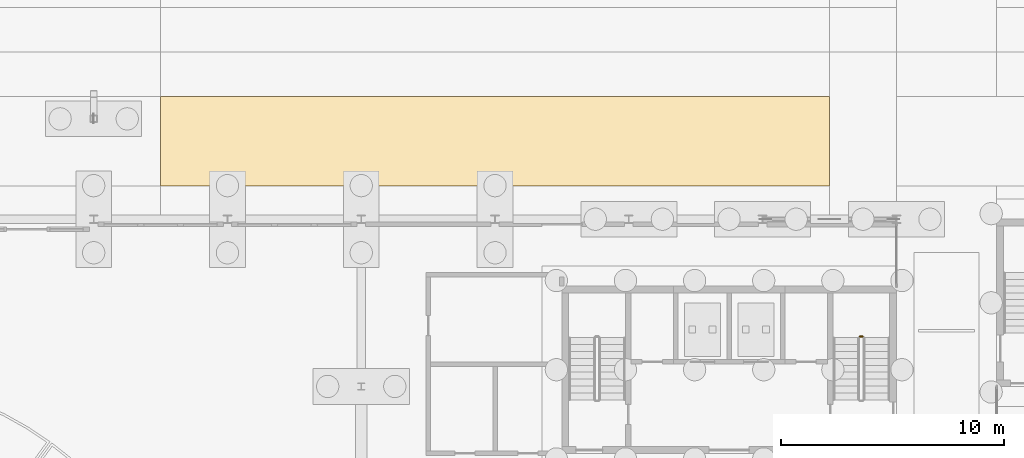
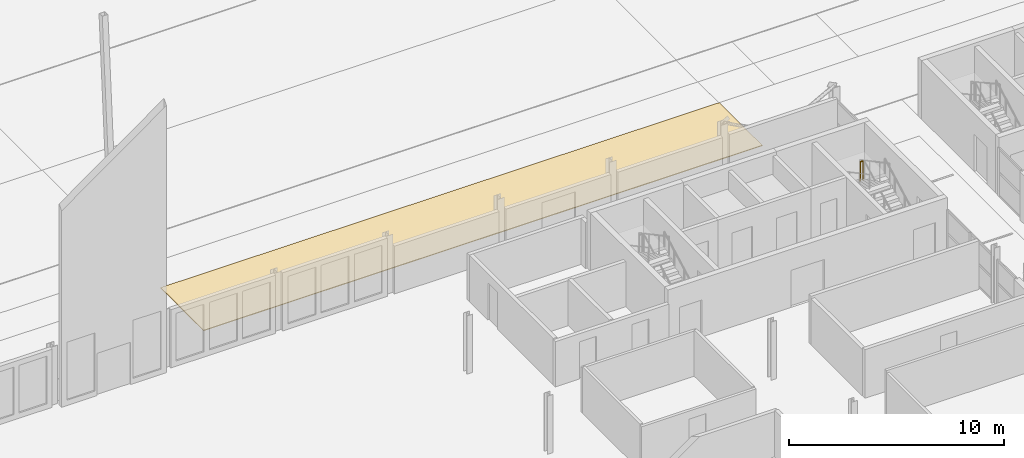
# One storey, part 108 of 130: 1 covering, 1 railing.
"""IFC4 building model written with IfcOpenShell, lengths in metres."""

import ifcopenshell
import ifcopenshell.guid

model = None  # the IFC model being written
_history = None  # IfcOwnerHistory: only IFC2X3 demands one
_inside = {}  # id of a spatial element -> (the spatial element, [elements in it])
_under = {}  # id of a project, library or spatial element -> (it, [spatial elements below it])
_declared = {}  # id of a project -> (the project, [libraries it declares])
_typed = {}  # id of a type object -> (the type object, [elements of that type])
_made_of = {}  # id of a material, layer set ... -> (it, [elements and type objects made of it])


def new_model(schema):
    """Start an empty IFC model of exactly this schema.

    Asked for "IFC4X3", IfcOpenShell would pick the latest addendum, in which some entities
    have other attributes; the version numbers below select the first issue.
    IFC2X3 requires an IfcOwnerHistory on every rooted entity: one is made here for all.
    """
    global model, _history
    if schema == "IFC4X3":
        model = ifcopenshell.file(schema_version=(4, 3, 0, 0))
    else:
        model = ifcopenshell.file(schema=schema)
    _inside.clear()
    _under.clear()
    _declared.clear()
    _typed.clear()
    _made_of.clear()
    _history = None
    if model.schema == "IFC2X3":
        org = make("IfcOrganization", Name="unknown")
        user = make(
            "IfcPersonAndOrganization",
            ThePerson=make("IfcPerson", FamilyName="unknown"),
            TheOrganization=org,
        )
        app = make(
            "IfcApplication",
            ApplicationDeveloper=org,
            Version="unknown",
            ApplicationFullName="unknown",
            ApplicationIdentifier="unknown",
        )
        _history = make(
            "IfcOwnerHistory",
            OwningUser=user,
            OwningApplication=app,
            ChangeAction="ADDED",
            CreationDate=0,
        )
    return model


def make(cls, **values):
    """One entity of the class cls with the attributes given. An attribute that is None is left unset."""
    return model.create_entity(
        cls, **{name: value for name, value in values.items() if value is not None}
    )


def rooted(cls, **values):
    """An entity with a GlobalId (a new one), such as an element, a storey or a relation."""
    return make(cls, GlobalId=ifcopenshell.guid.new(), OwnerHistory=_history, **values)


def si_unit(unit_type, name, prefix=None):
    """IfcSIUnit, for example si_unit("LENGTHUNIT", "METRE", prefix="MILLI")."""
    return make("IfcSIUnit", UnitType=unit_type, Prefix=prefix, Name=name)


def assignment(units):
    """IfcUnitAssignment: the units of a project."""
    return None if units is None else make("IfcUnitAssignment", Units=units)


def point(xyz):
    """IfcCartesianPoint."""
    return None if xyz is None else make("IfcCartesianPoint", Coordinates=xyz)


def direction(xyz):
    """IfcDirection."""
    return None if xyz is None else make("IfcDirection", DirectionRatios=xyz)


def frame(location, z_axis=None, x_axis=None):
    """IfcAxis2Placement3D, a coordinate frame: its origin and axes. An axis left out is left unset."""
    return make(
        "IfcAxis2Placement3D",
        Location=point(location),
        Axis=direction(z_axis),
        RefDirection=direction(x_axis),
    )


def frame_2d(location, x_axis=None):
    """IfcAxis2Placement2D, a coordinate frame in the plane: its origin and x axis."""
    return make(
        "IfcAxis2Placement2D", Location=point(location), RefDirection=direction(x_axis)
    )


def origin():
    """The frame at (0, 0, 0) with its axes left unset."""
    return frame((0.0, 0.0, 0.0))


def origin_2d():
    """The frame at (0, 0) in the plane with its x axis left unset."""
    return frame_2d((0.0, 0.0))


def place(relative_to, where):
    """IfcLocalPlacement: puts the frame where relative to a parent placement (None: the world)."""
    return make(
        "IfcLocalPlacement", PlacementRelTo=relative_to, RelativePlacement=where
    )


def context(
    kind, dimensions, precision=None, world=None, true_north=None, identifier=None
):
    """IfcGeometricRepresentationContext, for example the 3D "Model" context."""
    return make(
        "IfcGeometricRepresentationContext",
        ContextIdentifier=identifier,
        ContextType=kind,
        CoordinateSpaceDimension=dimensions,
        Precision=precision,
        WorldCoordinateSystem=world,
        TrueNorth=true_north,
    )


def subcontext(parent, identifier, kind, view, scale=None):
    """IfcGeometricRepresentationSubContext, for example "Body" below "Model"."""
    return make(
        "IfcGeometricRepresentationSubContext",
        ContextIdentifier=identifier,
        ContextType=kind,
        ParentContext=parent,
        TargetScale=scale,
        TargetView=view,
    )


def project(units=None, contexts=None):
    """IfcProject with its units and contexts."""
    return rooted(
        "IfcProject",
        Name="project",
        RepresentationContexts=contexts,
        UnitsInContext=assignment(units),
    )


def spatial(cls, under=None, at=None, **own):
    """A site, building, storey or space (cls), placed at a placement, below another one or the project."""
    s = rooted(cls, ObjectPlacement=at, **own)
    if under is not None:
        _under.setdefault(under.id(), (under, []))[1].append(s)
    return s


def polyline(points):
    """IfcPolyline through the points."""
    return make("IfcPolyline", Points=[point(p) for p in points])


def profile(cls, at=None, kind="AREA", **sizes):
    """A parametric profile (cls). Its sizes go by their IFC names, for example OverallWidth=200.0."""
    return make(cls, ProfileType=kind, Position=at, **sizes)


def circle(**sizes):
    """IfcCircleProfileDef."""
    return profile("IfcCircleProfileDef", **sizes)


def outline(outer, holes=None, kind="AREA"):
    """IfcArbitraryClosedProfileDef: a profile drawn as a closed curve; with holes, ...WithVoids."""
    if holes is None:
        return make("IfcArbitraryClosedProfileDef", ProfileType=kind, OuterCurve=outer)
    return make(
        "IfcArbitraryProfileDefWithVoids",
        ProfileType=kind,
        OuterCurve=outer,
        InnerCurves=holes,
    )


def extrude(swept, where, along, depth):
    """IfcExtrudedAreaSolid: the profile swept, set in the frame where, extruded along a direction by depth."""
    return make(
        "IfcExtrudedAreaSolid",
        SweptArea=swept,
        Position=where,
        ExtrudedDirection=direction(along),
        Depth=depth,
    )


def shape(context_of_items, identifier, shape_type, items):
    """IfcShapeRepresentation: the items that make up one representation, for example the "Body"."""
    return make(
        "IfcShapeRepresentation",
        ContextOfItems=context_of_items,
        RepresentationIdentifier=identifier,
        RepresentationType=shape_type,
        Items=items,
    )


def material(Name=None, Category=None):
    """IfcMaterial."""
    return make("IfcMaterial", Name=Name, Category=Category)


def layer(
    of_material, thickness, ventilated=None, Name=None, Category=None, Priority=None
):
    """IfcMaterialLayer: one layer of a wall or slab, of a material (None: an air gap)."""
    return make(
        "IfcMaterialLayer",
        Material=of_material,
        LayerThickness=thickness,
        IsVentilated=ventilated,
        Name=Name,
        Category=Category,
        Priority=Priority,
    )


def layer_set(layers, Name=None):
    """IfcMaterialLayerSet."""
    return make("IfcMaterialLayerSet", MaterialLayers=layers, LayerSetName=Name)


def made_of(thing, what):
    """Note that an element or type object is made of a material, layer set ...; save() writes the relation."""
    if what is not None:
        _made_of.setdefault(what.id(), (what, []))[1].append(thing)
    return thing


def type_object(cls, material=None, **own):
    """A type object (cls), such as IfcWallType, which elements share."""
    return made_of(rooted(cls, **own), material)


def element(
    cls,
    number,
    at=None,
    inside=None,
    cuts=None,
    type_object=None,
    material=None,
    context=None,
    identifier="Body",
    shape_type=None,
    held_by="IfcProductDefinitionShape",
    body=None,
    shapes=None,
    **own,
):
    """One element of the class cls, such as IfcWall. Its Tag is "e" and its number.

    at: its placement. inside: the storey or other place that contains it. cuts: it is an
    opening in that element (IfcRelVoidsElement). A single representation is given by context,
    identifier, shape_type and body (its items); several are given by shapes. held_by: the class
    of the entity that holds the representations. save() writes the other relations.
    """
    e = rooted(cls, Tag="e%d" % number, ObjectPlacement=at, **own)
    if body is not None:
        shapes = [shape(context, identifier, shape_type, body)]
    if shapes is not None:
        e.Representation = make(held_by, Representations=shapes)
    if inside is not None:
        _inside.setdefault(inside.id(), (inside, []))[1].append(e)
    if cuts is not None:
        rooted(
            "IfcRelVoidsElement", RelatingBuildingElement=cuts, RelatedOpeningElement=e
        )
    if type_object is not None:
        _typed.setdefault(type_object.id(), (type_object, []))[1].append(e)
    return made_of(e, material)


def aggregate(whole, parts):
    """IfcRelAggregates: a whole, such as a stair, and the parts it consists of."""
    return rooted("IfcRelAggregates", RelatingObject=whole, RelatedObjects=parts)


def save(model, path):
    """Write the relations noted so far, then the file.

    IfcRelAggregates (storeys below a building ...), IfcRelContainedInSpatialStructure (elements
    in a storey), IfcRelDefinesByType, IfcRelAssociatesMaterial and IfcRelDeclares: one each for
    every whole, place, type object, material and project.
    """
    for whole, parts in _under.values():
        aggregate(whole, parts)
    for where, things in _inside.values():
        rooted(
            "IfcRelContainedInSpatialStructure",
            RelatedElements=things,
            RelatingStructure=where,
        )
    for kind, things in _typed.values():
        rooted("IfcRelDefinesByType", RelatedObjects=things, RelatingType=kind)
    for what, things in _made_of.values():
        rooted("IfcRelAssociatesMaterial", RelatedObjects=things, RelatingMaterial=what)
    for by, libraries in _declared.values():
        rooted("IfcRelDeclares", RelatingContext=by, RelatedDefinitions=libraries)
    model.write(path)


model = new_model("IFC4")

# Units and contexts
model_context = context("Model", 3, precision=1e-05, world=origin(), true_north=direction((0.0, 1.0)))
body_context = subcontext(model_context, "Body", "Model", "MODEL_VIEW")
ifc_project = project(units=[si_unit("LENGTHUNIT", "METRE"), si_unit("AREAUNIT", "SQUARE_METRE"), si_unit("VOLUMEUNIT", "CUBIC_METRE"), si_unit("PLANEANGLEUNIT", "RADIAN"), si_unit("MASSUNIT", "GRAM", prefix="KILO")], contexts=[model_context])

# Site, building, storey
site_placement = place(None, origin())
site = spatial("IfcSite", under=ifc_project, at=site_placement, CompositionType="ELEMENT")
building_placement = place(site_placement, origin())
building = spatial("IfcBuilding", under=site, at=building_placement, Name="Parallax Yard Mobility Hub", CompositionType="ELEMENT")
storey_placement = place(building_placement, origin())
storey = spatial("IfcBuildingStorey", under=building, at=storey_placement, Name="L00", CompositionType="ELEMENT", Elevation=0.0)

# Covering
ifc_material_1 = material(Name="Concrete fc' 30 MPa", Category="concrete")
ifc_layer = layer(ifc_material_1, 0.0400390625)
ifc_layer_set = layer_set([ifc_layer], Name="Footway paving, Concrete fc' 30 MPa pavers 40")
covering_type = type_object("IfcCoveringType", Name="Footway paving, Concrete fc' 30 MPa pavers 40", PredefinedType="USERDEFINED", material=ifc_layer_set)
covering_placement = place(storey_placement, origin())
element("IfcCovering", 1, at=covering_placement, inside=storey, type_object=covering_type, Name="Yard footway south surfacing 3", ObjectType="PAVING", PredefinedType="USERDEFINED", context=body_context, shape_type="SweptSolid", body=[
    extrude(outline(polyline([(90.0, 58.0), (90.0, 54.0), (60.0, 54.0), (60.0, 58.0), (90.0, 58.0)])), origin(), (0.0, 0.0, 1.0), 0.0400390625),
])

# Railing
ifc_material_2 = material(Name="Steel ASTM A36", Category="steel")
railing_type = type_object("IfcRailingType", Name="Stair guard 1100", PredefinedType="GUARDRAIL", material=ifc_material_2)
railing_placement = place(storey_placement, frame((91.5, 47.239990234375, 1.64990234375)))
element("IfcRailing", 2, at=railing_placement, inside=storey, type_object=railing_type, Name="L00 ST18 stair guard 2", PredefinedType="GUARDRAIL", context=body_context, shape_type="SweptSolid", body=[
    extrude(circle(Radius=0.02392578125, at=origin_2d()), frame((0.0, 0.0, 1.076171875), z_axis=(-1.0, 0.0, 0.0), x_axis=(0.0, -1.0, 0.0)), (0.0, 0.0, 1.0), 0.14990234375),
    extrude(circle(Radius=0.02099609375, at=origin_2d()), origin(), (0.0, 0.0, 1.0), 1.052001953125),
    extrude(circle(Radius=0.02099609375, at=origin_2d()), frame((-0.14990234375, 0.0, 0.0)), (0.0, 0.0, 1.0), 1.052001953125),
])

save(model, "model.ifc")
